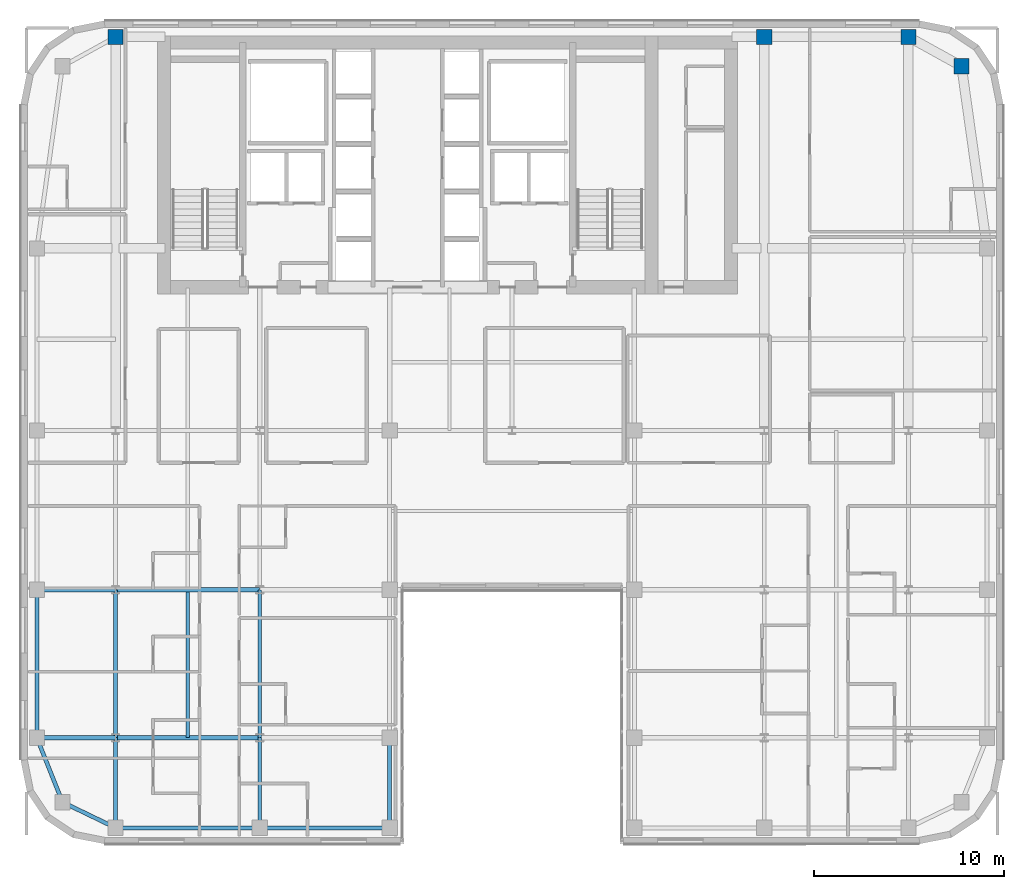
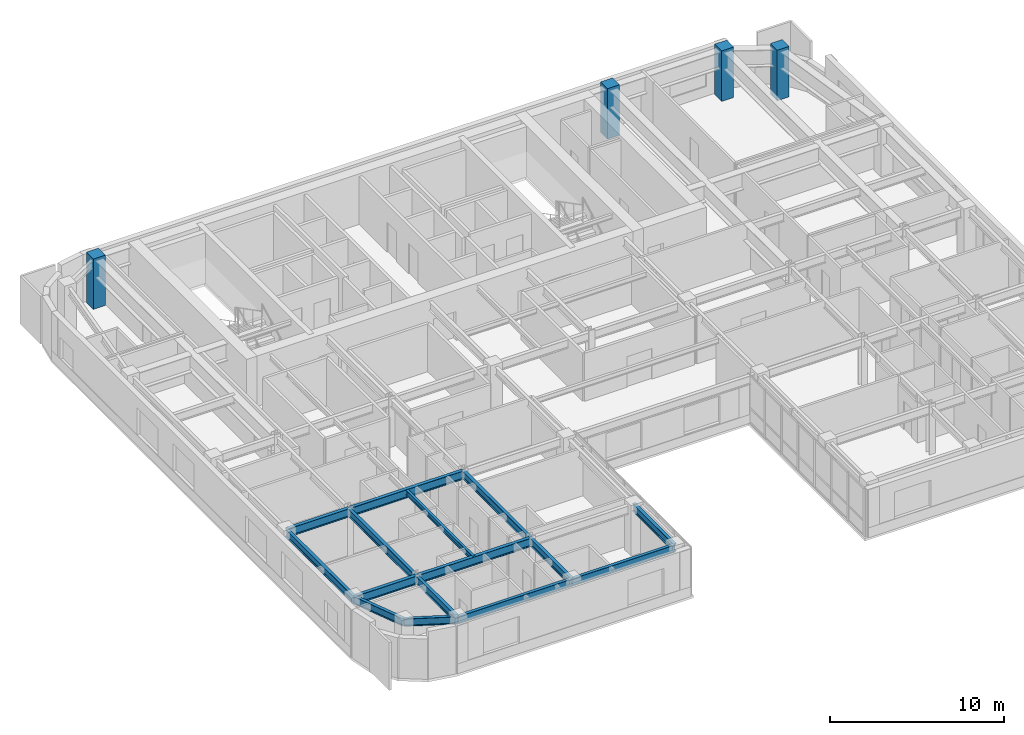
# One storey, part 2 of 20: 15 beams, 4 columns.
"""IFC4 building model written with IfcOpenShell, lengths in metres."""

from ifc_helpers import new_model, si_unit, direction, frame, origin, origin_2d, place, context, subcontext, project, spatial, rectangle, i_section, extrude, source, transform, mapped, material, material_profile, profile_set, type_object, type_shapes, element, save


model = new_model("IFC4")

# Units and contexts
model_context = context("Model", 3, precision=1e-05, world=origin(), true_north=direction((0.0, 1.0)))
body_context = subcontext(model_context, "Body", "Model", "MODEL_VIEW")
ifc_project = project(units=[si_unit("LENGTHUNIT", "METRE"), si_unit("AREAUNIT", "SQUARE_METRE"), si_unit("VOLUMEUNIT", "CUBIC_METRE"), si_unit("PLANEANGLEUNIT", "RADIAN"), si_unit("MASSUNIT", "GRAM", prefix="KILO")], contexts=[model_context])

# Site, building, storey
site_placement = place(None, origin())
site = spatial("IfcSite", under=ifc_project, at=site_placement, CompositionType="ELEMENT")
building_placement = place(site_placement, origin())
building = spatial("IfcBuilding", under=site, at=building_placement, Name="Tolvann Quenvar Hotel", CompositionType="ELEMENT")
storey_placement = place(building_placement, frame((0.0, 0.0, 191.10009765625)))
storey = spatial("IfcBuildingStorey", under=building, at=storey_placement, Name="L50", CompositionType="ELEMENT", Elevation=191.10009765625)

# Columns
ifc_material_1 = material(Name="Concrete N50 (50 MPa)", Category="concrete")
ifc_material_profile_1 = material_profile(ifc_material_1, rectangle(XDim=0.800048828125, YDim=0.800048828125, at=origin_2d()), Name="RC800x800")
ifc_profile_set_1 = profile_set([ifc_material_profile_1], Name="Concrete N50 (50 MPa)")
column_type = type_object("IfcColumnType", Name="COL_RC800", PredefinedType="COLUMN", material=ifc_profile_set_1)
shared_shape_1 = source(origin(), body_context, "Body", "SweptSolid", [
    extrude(rectangle(XDim=0.800048828125, YDim=0.800048828125, at=origin_2d()), origin(), (0.0, 0.0, 1.0), 3.5498046875),
])
type_shapes(column_type, [shared_shape_1])
for number, where, z_axis, x_axis, name in (
    (1, (7.60009765625, 45.14990234375, 0.0), (0.0, 0.0, 1.0), (1.0, 0.0, 0.0), "Column CN (L50)"),
    (2, (41.800048828125, 45.14990234375, 0.0), (0.0, 0.0, 1.0), (1.0, 0.0, 0.0), "Column HN (L50)"),
    (3, (49.39990234375, 45.14990234375, 0.0), (0.0, 0.0, 1.0), (1.0, 0.0, 0.0), "Column IN (L50)"),
    (4, (52.199951171875, 43.60009765625, 0.0), (0.0, 0.0, 1.0), (1.0, 0.0, 0.0), "Column JN (L50)"),
):
    element("IfcColumn", number, at=place(storey_placement, frame(where, z_axis=z_axis, x_axis=x_axis)), inside=storey, type_object=column_type, Name=name, PredefinedType="COLUMN", context=body_context, shape_type="MappedRepresentation", body=[
        mapped(shared_shape_1, transform((0.0, 0.0, 0.0), x_axis=(1.0, 0.0, 0.0), y_axis=(0.0, 1.0, 0.0), z_axis=(0.0, 0.0, 1.0), scale=1.0)),
    ])

# Beams
ifc_material_2 = material(Name="Steel Grade 350", Category="steel")
ifc_material_profile_2 = material_profile(ifc_material_2, i_section(OverallWidth=0.208984375, OverallDepth=0.528076171875, WebThickness=0.009521484375, FlangeThickness=0.01318359375, FilletRadius=0.013916015625, at=origin_2d()), Name="530UB82")
ifc_profile_set_2 = profile_set([ifc_material_profile_2], Name="Steel Grade 350")
beam_type_1 = type_object("IfcBeamType", Name="BM_SPAND_530UB82", PredefinedType="SPANDREL", material=ifc_profile_set_2)
shared_shape_2 = source(origin(), body_context, "Body", "SweptSolid", [
    extrude(i_section(OverallWidth=0.208984375, OverallDepth=0.528076171875, WebThickness=0.009521484375, FlangeThickness=0.01318359375, FilletRadius=0.013916015625, at=origin_2d()), origin(), (0.0, 0.0, 1.0), 7.599853515625),
])
beam_1_placement = place(storey_placement, frame((7.60009765625, 3.449951171875, 3.10595703125), z_axis=(1.0, 0.0, 0.0), x_axis=(0.0, 1.0, 0.0)))
element("IfcBeam", 5, at=beam_1_placement, inside=storey, type_object=beam_type_1, Name="BM-L50-EW-2-C2-D2", PredefinedType="SPANDREL", context=body_context, shape_type="MappedRepresentation", body=[
    mapped(shared_shape_2, transform((0.0, 0.0, 0.0), x_axis=(1.0, 0.0, 0.0), y_axis=(0.0, 1.0, 0.0), z_axis=(0.0, 0.0, 1.0), scale=1.0)),
])
shared_shape_3 = source(origin(), body_context, "Body", "SweptSolid", [
    extrude(i_section(OverallWidth=0.208984375, OverallDepth=0.528076171875, WebThickness=0.009521484375, FlangeThickness=0.01318359375, FilletRadius=0.013916015625, at=origin_2d()), origin(), (0.0, 0.0, 1.0), 6.85009765625),
])
beam_2_placement = place(storey_placement, frame((15.199951171875, 3.449951171875, 3.10595703125), z_axis=(1.0, 0.0, 0.0), x_axis=(0.0, 1.0, 0.0)))
element("IfcBeam", 6, at=beam_2_placement, inside=storey, type_object=beam_type_1, Name="BM-L50-EW-2-D2-E2", PredefinedType="SPANDREL", context=body_context, shape_type="MappedRepresentation", body=[
    mapped(shared_shape_3, transform((0.0, 0.0, 0.0), x_axis=(1.0, 0.0, 0.0), y_axis=(0.0, 1.0, 0.0), z_axis=(0.0, 0.0, 1.0), scale=1.0)),
])
shared_shape_4 = source(origin(), body_context, "Body", "SweptSolid", [
    extrude(i_section(OverallWidth=0.208984375, OverallDepth=0.528076171875, WebThickness=0.009521484375, FlangeThickness=0.01318359375, FilletRadius=0.013916015625, at=origin_2d()), origin(), (0.0, 0.0, 1.0), 7.800048828125),
])
beam_3_placement = place(storey_placement, frame((3.449951171875, 8.199951171875, 3.10595703125), z_axis=(0.0, 1.0, 0.0), x_axis=(-1.0, 0.0, 0.0)))
element("IfcBeam", 7, at=beam_3_placement, inside=storey, type_object=beam_type_1, Name="BM-L50-NS-B3-B4", PredefinedType="SPANDREL", context=body_context, shape_type="MappedRepresentation", body=[
    mapped(shared_shape_4, transform((0.0, 0.0, 0.0), x_axis=(1.0, 0.0, 0.0), y_axis=(0.0, 1.0, 0.0), z_axis=(0.0, 0.0, 1.0), scale=1.0)),
])
ifc_material_profile_3 = material_profile(ifc_material_2, i_section(OverallWidth=0.208984375, OverallDepth=0.532958984375, WebThickness=0.01025390625, FlangeThickness=0.015625, FilletRadius=0.013916015625, at=origin_2d()), Name="530UB92")
ifc_profile_set_3 = profile_set([ifc_material_profile_3], Name="Steel Grade 350")
beam_type_2 = type_object("IfcBeamType", Name="BM_GIRD_530UB92", PredefinedType="BEAM", material=ifc_profile_set_3)
shared_shape_5 = source(origin(), body_context, "Body", "SweptSolid", [
    extrude(i_section(OverallWidth=0.208984375, OverallDepth=0.532958984375, WebThickness=0.01025390625, FlangeThickness=0.015625, FilletRadius=0.013916015625, at=origin_2d()), origin(), (0.0, 0.0, 1.0), 7.800048828125),
])
for number, where, z_axis, x_axis, name in (
    (8, (7.60009765625, 8.199951171875, 3.103515625), (0.0, 1.0, 0.0), (-1.0, 0.0, 0.0), "BM-L50-NS-C3-C4"),
    (9, (15.199951171875, 8.199951171875, 3.103515625), (0.0, 1.0, 0.0), (-1.0, 0.0, 0.0), "BM-L50-NS-D3-D4"),
):
    element("IfcBeam", number, at=place(storey_placement, frame(where, z_axis=z_axis, x_axis=x_axis)), inside=storey, type_object=beam_type_2, Name=name, PredefinedType="BEAM", context=body_context, shape_type="MappedRepresentation", body=[
        mapped(shared_shape_5, transform((0.0, 0.0, 0.0), x_axis=(1.0, 0.0, 0.0), y_axis=(0.0, 1.0, 0.0), z_axis=(0.0, 0.0, 1.0), scale=1.0)),
    ])
shared_shape_6 = source(origin(), body_context, "Body", "SweptSolid", [
    extrude(i_section(OverallWidth=0.208984375, OverallDepth=0.528076171875, WebThickness=0.009521484375, FlangeThickness=0.01318359375, FilletRadius=0.013916015625, at=origin_2d()), origin(), (0.0, 0.0, 1.0), 3.108642578125),
])
beam_4_placement = place(storey_placement, frame((4.800048828125, 4.800048828125, 3.10595703125), z_axis=(0.900759354066, -0.434318530646, 0.0), x_axis=(0.434318530646, 0.900759354066, 0.0)))
element("IfcBeam", 10, at=beam_4_placement, inside=storey, type_object=beam_type_1, Name="BM-L50-EW-2-B2-C2", PredefinedType="SPANDREL", context=body_context, shape_type="MappedRepresentation", body=[
    mapped(shared_shape_6, transform((0.0, 0.0, 0.0), x_axis=(1.0, 0.0, 0.0), y_axis=(0.0, 1.0, 0.0), z_axis=(0.0, 0.0, 1.0), scale=1.0)),
])
ifc_material_profile_4 = material_profile(ifc_material_2, i_section(OverallWidth=0.22802734375, OverallDepth=0.60205078125, WebThickness=0.010498046875, FlangeThickness=0.014892578125, FilletRadius=0.013916015625, at=origin_2d()), Name="610UB101")
ifc_profile_set_4 = profile_set([ifc_material_profile_4], Name="Steel Grade 350")
beam_type_3 = type_object("IfcBeamType", Name="BM_GIRD_610UB101", PredefinedType="BEAM", material=ifc_profile_set_4)
shared_shape_7 = source(origin(), body_context, "Body", "SweptSolid", [
    extrude(i_section(OverallWidth=0.22802734375, OverallDepth=0.60205078125, WebThickness=0.010498046875, FlangeThickness=0.014892578125, FilletRadius=0.013916015625, at=origin_2d()), origin(), (0.0, 0.0, 1.0), 4.150146484375),
])
for number, where, z_axis, x_axis, name in (
    (11, (3.449951171875, 8.199951171875, 3.06884765625), (1.0, 0.0, 0.0), (0.0, 1.0, 0.0), "BM-L50-EW-3-B3-C3"),
    (12, (3.449951171875, 16.0, 3.06884765625), (1.0, 0.0, 0.0), (0.0, 1.0, 0.0), "BM-L50-EW-4-B4-C4"),
):
    element("IfcBeam", number, at=place(storey_placement, frame(where, z_axis=z_axis, x_axis=x_axis)), inside=storey, type_object=beam_type_3, Name=name, PredefinedType="BEAM", context=body_context, shape_type="MappedRepresentation", body=[
        mapped(shared_shape_7, transform((0.0, 0.0, 0.0), x_axis=(1.0, 0.0, 0.0), y_axis=(0.0, 1.0, 0.0), z_axis=(0.0, 0.0, 1.0), scale=1.0)),
    ])
shared_shape_8 = source(origin(), body_context, "Body", "SweptSolid", [
    extrude(i_section(OverallWidth=0.22802734375, OverallDepth=0.60205078125, WebThickness=0.010498046875, FlangeThickness=0.014892578125, FilletRadius=0.013916015625, at=origin_2d()), origin(), (0.0, 0.0, 1.0), 7.599853515625),
])
type_shapes(beam_type_3, [shared_shape_7, shared_shape_8])
for number, where, z_axis, x_axis, name in (
    (13, (7.60009765625, 8.199951171875, 3.06884765625), (1.0, 0.0, 0.0), (0.0, 1.0, 0.0), "BM-L50-EW-3-C3-D3"),
    (14, (7.60009765625, 16.0, 3.06884765625), (1.0, 0.0, 0.0), (0.0, 1.0, 0.0), "BM-L50-EW-4-C4-D4"),
):
    element("IfcBeam", number, at=place(storey_placement, frame(where, z_axis=z_axis, x_axis=x_axis)), inside=storey, type_object=beam_type_3, Name=name, PredefinedType="BEAM", context=body_context, shape_type="MappedRepresentation", body=[
        mapped(shared_shape_8, transform((0.0, 0.0, 0.0), x_axis=(1.0, 0.0, 0.0), y_axis=(0.0, 1.0, 0.0), z_axis=(0.0, 0.0, 1.0), scale=1.0)),
    ])
shared_shape_9 = source(origin(), body_context, "Body", "SweptSolid", [
    extrude(i_section(OverallWidth=0.208984375, OverallDepth=0.528076171875, WebThickness=0.009521484375, FlangeThickness=0.01318359375, FilletRadius=0.013916015625, at=origin_2d()), origin(), (0.0, 0.0, 1.0), 3.658203125),
])
type_shapes(beam_type_1, [shared_shape_2, shared_shape_3, shared_shape_4, shared_shape_6, shared_shape_9])
beam_5_placement = place(storey_placement, frame((4.800048828125, 4.800048828125, 3.10595703125), z_axis=(-0.369065163807, 0.929403521009, 0.0), x_axis=(-0.929403521009, -0.369065163807, 0.0)))
element("IfcBeam", 15, at=beam_5_placement, inside=storey, type_object=beam_type_1, Name="BM-L50-NS-B2-B3", PredefinedType="SPANDREL", context=body_context, shape_type="MappedRepresentation", body=[
    mapped(shared_shape_9, transform((0.0, 0.0, 0.0), x_axis=(1.0, 0.0, 0.0), y_axis=(0.0, 1.0, 0.0), z_axis=(0.0, 0.0, 1.0), scale=1.0)),
])
shared_shape_10 = source(origin(), body_context, "Body", "SweptSolid", [
    extrude(i_section(OverallWidth=0.208984375, OverallDepth=0.532958984375, WebThickness=0.01025390625, FlangeThickness=0.015625, FilletRadius=0.013916015625, at=origin_2d()), origin(), (0.0, 0.0, 1.0), 4.75),
])
type_shapes(beam_type_2, [shared_shape_5, shared_shape_10])
for number, where, z_axis, x_axis, name in (
    (16, (7.60009765625, 3.449951171875, 3.103515625), (0.0, 1.0, 0.0), (-1.0, 0.0, 0.0), "BM-L50-NS-C2-C3"),
    (17, (15.199951171875, 3.449951171875, 3.103515625), (0.0, 1.0, 0.0), (-1.0, 0.0, 0.0), "BM-L50-NS-D2-D3"),
    (18, (22.050048828125, 3.449951171875, 3.103515625), (0.0, 1.0, 0.0), (-1.0, 0.0, 0.0), "BM-L50-NS-E2-E3"),
):
    element("IfcBeam", number, at=place(storey_placement, frame(where, z_axis=z_axis, x_axis=x_axis)), inside=storey, type_object=beam_type_2, Name=name, PredefinedType="BEAM", context=body_context, shape_type="MappedRepresentation", body=[
        mapped(shared_shape_10, transform((0.0, 0.0, 0.0), x_axis=(1.0, 0.0, 0.0), y_axis=(0.0, 1.0, 0.0), z_axis=(0.0, 0.0, 1.0), scale=1.0)),
    ])
ifc_material_profile_5 = material_profile(ifc_material_2, i_section(OverallWidth=0.172119140625, OverallDepth=0.35888671875, WebThickness=0.008056640625, FlangeThickness=0.012939453125, FilletRadius=0.011474609375, at=origin_2d()), Name="360UB57")
ifc_profile_set_5 = profile_set([ifc_material_profile_5], Name="Steel Grade 350")
beam_type_4 = type_object("IfcBeamType", Name="BM_JOIST_360UB57", PredefinedType="JOIST", material=ifc_profile_set_5)
shared_shape_11 = source(origin(), body_context, "Body", "SweptSolid", [
    extrude(i_section(OverallWidth=0.172119140625, OverallDepth=0.35888671875, WebThickness=0.008056640625, FlangeThickness=0.012939453125, FilletRadius=0.011474609375, at=origin_2d()), origin(), (0.0, 0.0, 1.0), 7.692138671875),
])
type_shapes(beam_type_4, [shared_shape_11])
beam_6_placement = place(storey_placement, frame((11.39990234375, 8.199951171875, 3.1904296875), z_axis=(0.0, 1.0, 0.0), x_axis=(-1.0, 0.0, 0.0)))
element("IfcBeam", 19, at=beam_6_placement, inside=storey, type_object=beam_type_4, Name="BJ-L50-114-82", PredefinedType="JOIST", context=body_context, shape_type="MappedRepresentation", body=[
    mapped(shared_shape_11, transform((0.0, 0.0, 0.0), x_axis=(1.0, 0.0, 0.0), y_axis=(0.0, 1.0, 0.0), z_axis=(0.0, 0.0, 1.0), scale=1.0)),
])

save(model, "model.ifc")
